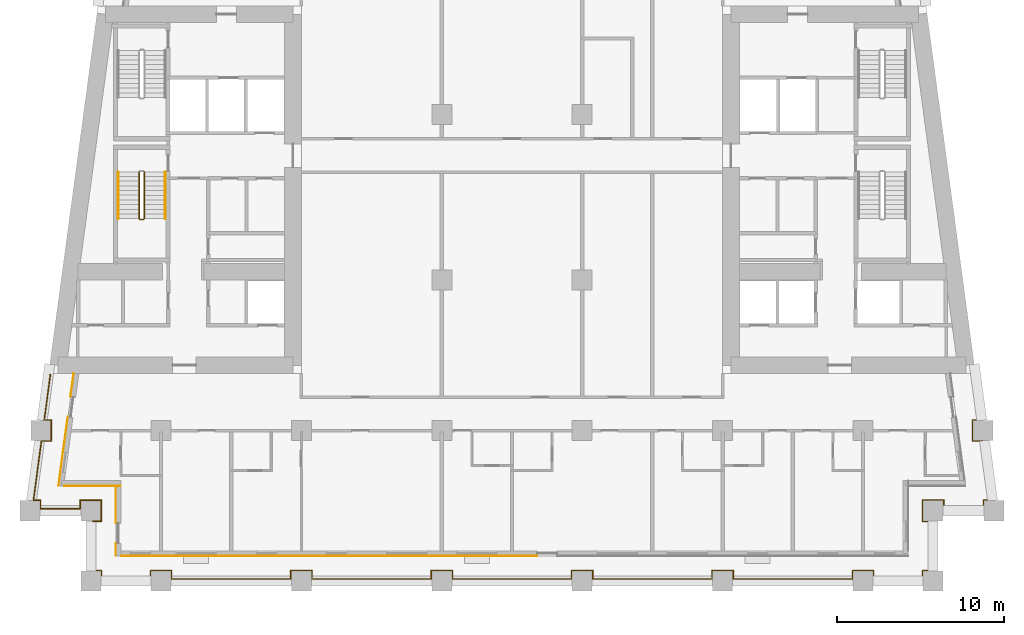
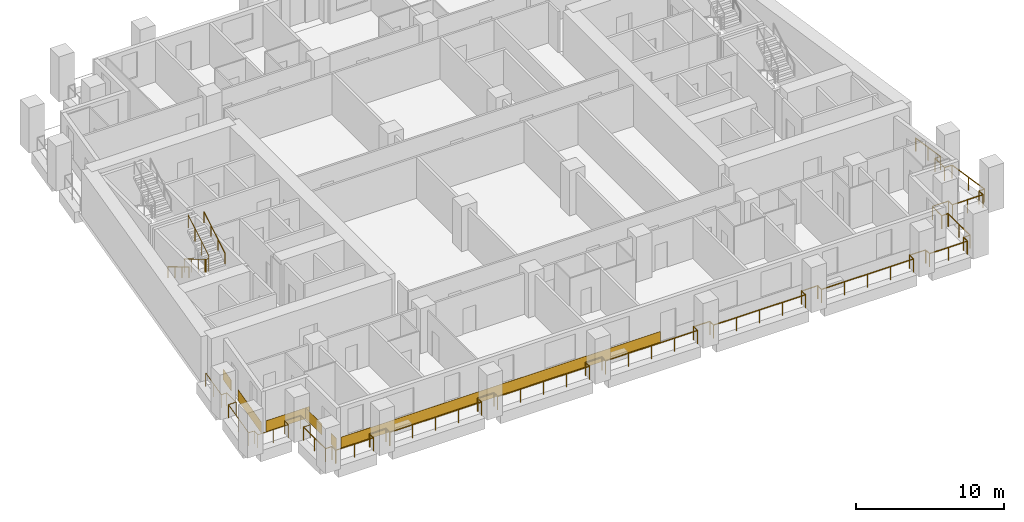
# One storey, part 9 of 13: 6 coverings, 5 railings.
"""IFC4 building model written with IfcOpenShell, lengths in metres."""

from ifc_helpers import new_model, si_unit, direction, frame, origin, origin_2d, place, context, subcontext, project, spatial, rectangle, circle, extrude, material, layer, layer_set, type_object, element, save


model = new_model("IFC4")

# Units and contexts
model_context = context("Model", 3, precision=1e-05, world=origin(), true_north=direction((0.0, 1.0)))
body_context = subcontext(model_context, "Body", "Model", "MODEL_VIEW")
ifc_project = project(units=[si_unit("LENGTHUNIT", "METRE"), si_unit("AREAUNIT", "SQUARE_METRE"), si_unit("VOLUMEUNIT", "CUBIC_METRE"), si_unit("PLANEANGLEUNIT", "RADIAN"), si_unit("MASSUNIT", "GRAM", prefix="KILO")], contexts=[model_context])

# Site, building, storey
site_placement = place(None, origin())
site = spatial("IfcSite", under=ifc_project, at=site_placement, CompositionType="ELEMENT")
building_placement = place(site_placement, origin())
building = spatial("IfcBuilding", under=site, at=building_placement, Name="Candeia Pilgrim Tower and Theatre", CompositionType="ELEMENT")
storey_placement = place(building_placement, frame((0.0, 0.0, 128.0)))
storey = spatial("IfcBuildingStorey", under=building, at=storey_placement, Name="L30", CompositionType="ELEMENT", Elevation=128.0)

# Railings
ifc_material_1 = material(Name="Stainless steel balustrade", Category="steel")
railing_type_1 = type_object("IfcRailingType", Name="G1 loggia guard 1100", PredefinedType="GUARDRAIL", material=ifc_material_1)
railing_1_placement = place(storey_placement, frame((88.320068359375, 101.570068359375, 0.0)))
element("IfcRailing", 1, at=railing_1_placement, inside=storey, type_object=railing_type_1, Name="Guard L30.1", PredefinedType="GUARDRAIL", context=body_context, shape_type="SweptSolid", body=[
    extrude(circle(Radius=0.02392578125, at=origin_2d()), frame((0.0, 0.0, 1.076171875), z_axis=(1.0, 0.0, 0.0), x_axis=(0.0, 1.0, 0.0)), (0.0, 0.0, 1.0), 0.510009765625),
    extrude(circle(Radius=0.02392578125, at=origin_2d()), frame((0.510009765625, 0.0, 1.076171875), z_axis=(0.0, 1.0, 0.0), x_axis=(-1.0, 0.0, 0.0)), (0.0, 0.0, 1.0), 1.260009765625),
    extrude(circle(Radius=0.02392578125, at=origin_2d()), frame((0.510009765625, 1.260009765625, 1.076171875), z_axis=(-1.0, 0.0, 0.0), x_axis=(0.0, -1.0, 0.0)), (0.0, 0.0, 1.0), 1.260009765625),
    extrude(circle(Radius=0.02392578125, at=origin_2d()), frame((-0.75, 1.260009765625, 1.076171875), z_axis=(0.0, -1.0, 0.0), x_axis=(1.0, 0.0, 0.0)), (0.0, 0.0, 1.0), 0.510009765625),
    extrude(circle(Radius=0.02392578125, at=origin_2d()), frame((-0.75, 0.75, 1.076171875), z_axis=(-1.0, 0.0, 0.0), x_axis=(0.0, -1.0, 0.0)), (0.0, 0.0, 1.0), 2.374755859375),
    extrude(circle(Radius=0.02392578125, at=origin_2d()), frame((-3.124755859375, 0.75, 1.076171875), z_axis=(0.0, 1.0, 0.0), x_axis=(-1.0, 0.0, 0.0)), (0.0, 0.0, 1.0), 0.510009765625),
    extrude(circle(Radius=0.02392578125, at=origin_2d()), frame((-3.124755859375, 1.260009765625, 1.076171875), z_axis=(-1.0, 0.0, 0.0), x_axis=(0.0, -1.0, 0.0)), (0.0, 0.0, 1.0), 0.424072265625),
    extrude(circle(Radius=0.02392578125, at=origin_2d()), frame((-3.548828125, 1.260009765625, 1.076171875), z_axis=(0.133417176173, 0.991059966451, 0.0), x_axis=(-0.991059966451, 0.133417176173, 0.0)), (0.0, 0.0, 1.0), 3.572021484375),
    extrude(circle(Radius=0.02392578125, at=origin_2d()), frame((-3.072265625, 4.800048828125, 1.076171875), z_axis=(1.0, 0.0, 0.0), x_axis=(0.0, 1.0, 0.0)), (0.0, 0.0, 1.0), 0.59375),
    extrude(circle(Radius=0.02392578125, at=origin_2d()), frame((-2.478515625, 4.800048828125, 1.076171875), z_axis=(0.0, 1.0, 0.0), x_axis=(-1.0, 0.0, 0.0)), (0.0, 0.0, 1.0), 1.259765625),
    extrude(circle(Radius=0.02392578125, at=origin_2d()), frame((-2.478515625, 6.059814453125, 1.076171875), z_axis=(-1.0, 0.0, 0.0), x_axis=(0.0, -1.0, 0.0)), (0.0, 0.0, 1.0), 0.424072265625),
    extrude(circle(Radius=0.02392578125, at=origin_2d()), frame((-2.902587890625, 6.059814453125, 1.076171875), z_axis=(0.1334220927, 0.991059304572, 0.0), x_axis=(-0.991059304572, 0.1334220927, 0.0)), (0.0, 0.0, 1.0), 2.744873046875),
    extrude(circle(Radius=0.02099609375, at=origin_2d()), origin(), (0.0, 0.0, 1.0), 1.052001953125),
    extrude(circle(Radius=0.02099609375, at=origin_2d()), frame((0.510009765625, 0.0, 0.0)), (0.0, 0.0, 1.0), 1.052001953125),
    extrude(circle(Radius=0.02099609375, at=origin_2d()), frame((0.510009765625, 1.260009765625, 0.0)), (0.0, 0.0, 1.0), 1.052001953125),
    extrude(circle(Radius=0.02099609375, at=origin_2d()), frame((-0.75, 1.260009765625, 0.0)), (0.0, 0.0, 1.0), 1.052001953125),
    extrude(circle(Radius=0.02099609375, at=origin_2d()), frame((-0.75, 0.75, 0.0)), (0.0, 0.0, 1.0), 1.052001953125),
    extrude(circle(Radius=0.02099609375, at=origin_2d()), frame((-1.9375, 0.75, 0.0)), (0.0, 0.0, 1.0), 1.052001953125),
    extrude(circle(Radius=0.02099609375, at=origin_2d()), frame((-3.124755859375, 0.75, 0.0)), (0.0, 0.0, 1.0), 1.052001953125),
    extrude(circle(Radius=0.02099609375, at=origin_2d()), frame((-3.124755859375, 1.260009765625, 0.0)), (0.0, 0.0, 1.0), 1.052001953125),
    extrude(circle(Radius=0.02099609375, at=origin_2d()), frame((-3.548828125, 1.260009765625, 0.0)), (0.0, 0.0, 1.0), 1.052001953125),
    extrude(circle(Radius=0.02099609375, at=origin_2d()), frame((-3.310546875, 3.030029296875, 0.0)), (0.0, 0.0, 1.0), 1.052001953125),
    extrude(circle(Radius=0.02099609375, at=origin_2d()), frame((-3.072265625, 4.800048828125, 0.0)), (0.0, 0.0, 1.0), 1.052001953125),
    extrude(circle(Radius=0.02099609375, at=origin_2d()), frame((-2.478515625, 4.800048828125, 0.0)), (0.0, 0.0, 1.0), 1.052001953125),
    extrude(circle(Radius=0.02099609375, at=origin_2d()), frame((-2.478515625, 6.059814453125, 0.0)), (0.0, 0.0, 1.0), 1.052001953125),
    extrude(circle(Radius=0.02099609375, at=origin_2d()), frame((-2.902587890625, 6.059814453125, 0.0)), (0.0, 0.0, 1.0), 1.052001953125),
    extrude(circle(Radius=0.02099609375, at=origin_2d()), frame((-2.719482421875, 7.419921875, 0.0)), (0.0, 0.0, 1.0), 1.052001953125),
    extrude(circle(Radius=0.02099609375, at=origin_2d()), frame((-2.536376953125, 8.780029296875, 0.0)), (0.0, 0.0, 1.0), 1.052001953125),
])
railing_2_placement = place(storey_placement, frame((141.016357421875, 110.35009765625, 0.0)))
element("IfcRailing", 2, at=railing_2_placement, inside=storey, type_object=railing_type_1, Name="Guard L30.4", PredefinedType="GUARDRAIL", context=body_context, shape_type="SweptSolid", body=[
    extrude(circle(Radius=0.02392578125, at=origin_2d()), frame((0.0, 0.0, 1.076171875), z_axis=(0.1334220927, -0.991059304572, 0.0), x_axis=(0.991059304572, 0.1334220927, 0.0)), (0.0, 0.0, 1.0), 2.744873046875),
    extrude(circle(Radius=0.02392578125, at=origin_2d()), frame((0.3662109375, -2.72021484375, 1.076171875), z_axis=(-1.0, 0.0, 0.0), x_axis=(0.0, -1.0, 0.0)), (0.0, 0.0, 1.0), 0.424072265625),
    extrude(circle(Radius=0.02392578125, at=origin_2d()), frame((-0.057861328125, -2.72021484375, 1.076171875), z_axis=(0.0, -1.0, 0.0), x_axis=(1.0, 0.0, 0.0)), (0.0, 0.0, 1.0), 1.259765625),
    extrude(circle(Radius=0.02392578125, at=origin_2d()), frame((-0.057861328125, -3.97998046875, 1.076171875), z_axis=(1.0, 0.0, 0.0), x_axis=(0.0, 1.0, 0.0)), (0.0, 0.0, 1.0), 0.59375),
    extrude(circle(Radius=0.02392578125, at=origin_2d()), frame((0.535888671875, -3.97998046875, 1.076171875), z_axis=(0.133417176173, -0.991059966451, 0.0), x_axis=(0.991059966451, 0.133417176173, 0.0)), (0.0, 0.0, 1.0), 3.572021484375),
    extrude(circle(Radius=0.02392578125, at=origin_2d()), frame((1.012451171875, -7.52001953125, 1.076171875), z_axis=(-1.0, 0.0, 0.0), x_axis=(0.0, -1.0, 0.0)), (0.0, 0.0, 1.0), 0.424072265625),
    extrude(circle(Radius=0.02392578125, at=origin_2d()), frame((0.58837890625, -7.52001953125, 1.076171875), z_axis=(0.0, -1.0, 0.0), x_axis=(1.0, 0.0, 0.0)), (0.0, 0.0, 1.0), 0.510009765625),
    extrude(circle(Radius=0.02392578125, at=origin_2d()), frame((0.58837890625, -8.030029296875, 1.076171875), z_axis=(-1.0, 0.0, 0.0), x_axis=(0.0, -1.0, 0.0)), (0.0, 0.0, 1.0), 2.374755859375),
    extrude(circle(Radius=0.02392578125, at=origin_2d()), frame((-1.786376953125, -8.030029296875, 1.076171875), z_axis=(0.0, 1.0, 0.0), x_axis=(-1.0, 0.0, 0.0)), (0.0, 0.0, 1.0), 0.510009765625),
    extrude(circle(Radius=0.02392578125, at=origin_2d()), frame((-1.786376953125, -7.52001953125, 1.076171875), z_axis=(-1.0, 0.0, 0.0), x_axis=(0.0, -1.0, 0.0)), (0.0, 0.0, 1.0), 1.260009765625),
    extrude(circle(Radius=0.02392578125, at=origin_2d()), frame((-3.04638671875, -7.52001953125, 1.076171875), z_axis=(0.0, -1.0, 0.0), x_axis=(1.0, 0.0, 0.0)), (0.0, 0.0, 1.0), 1.260009765625),
    extrude(circle(Radius=0.02392578125, at=origin_2d()), frame((-3.04638671875, -8.780029296875, 1.076171875), z_axis=(1.0, 0.0, 0.0), x_axis=(0.0, 1.0, 0.0)), (0.0, 0.0, 1.0), 0.510009765625),
    extrude(circle(Radius=0.02392578125, at=origin_2d()), frame((-2.536376953125, -8.780029296875, 1.076171875), z_axis=(0.0, -1.0, 0.0), x_axis=(1.0, 0.0, 0.0)), (0.0, 0.0, 1.0), 2.940185546875),
    extrude(circle(Radius=0.02392578125, at=origin_2d()), frame((-2.536376953125, -11.72021484375, 1.076171875), z_axis=(-1.0, 0.0, 0.0), x_axis=(0.0, -1.0, 0.0)), (0.0, 0.0, 1.0), 0.510009765625),
    extrude(circle(Radius=0.02392578125, at=origin_2d()), frame((-3.04638671875, -11.72021484375, 1.076171875), z_axis=(0.0, -1.0, 0.0), x_axis=(1.0, 0.0, 0.0)), (0.0, 0.0, 1.0), 0.509765625),
    extrude(circle(Radius=0.02392578125, at=origin_2d()), frame((-3.04638671875, -12.22998046875, 1.076171875), z_axis=(-1.0, 0.0, 0.0), x_axis=(0.0, -1.0, 0.0)), (0.0, 0.0, 1.0), 2.93994140625),
    extrude(circle(Radius=0.02392578125, at=origin_2d()), frame((-5.986328125, -12.22998046875, 1.076171875), z_axis=(0.0, 1.0, 0.0), x_axis=(-1.0, 0.0, 0.0)), (0.0, 0.0, 1.0), 0.509765625),
    extrude(circle(Radius=0.02392578125, at=origin_2d()), frame((-5.986328125, -11.72021484375, 1.076171875), z_axis=(-1.0, 0.0, 0.0), x_axis=(0.0, -1.0, 0.0)), (0.0, 0.0, 1.0), 1.260009765625),
    extrude(circle(Radius=0.02392578125, at=origin_2d()), frame((-7.246337890625, -11.72021484375, 1.076171875), z_axis=(0.0, -1.0, 0.0), x_axis=(1.0, 0.0, 0.0)), (0.0, 0.0, 1.0), 0.509765625),
    extrude(circle(Radius=0.02392578125, at=origin_2d()), frame((-7.246337890625, -12.22998046875, 1.076171875), z_axis=(-1.0, 0.0, 0.0), x_axis=(0.0, -1.0, 0.0)), (0.0, 0.0, 1.0), 7.14013671875),
    extrude(circle(Radius=0.02392578125, at=origin_2d()), frame((-14.386474609375, -12.22998046875, 1.076171875), z_axis=(0.0, 1.0, 0.0), x_axis=(-1.0, 0.0, 0.0)), (0.0, 0.0, 1.0), 0.509765625),
    extrude(circle(Radius=0.02392578125, at=origin_2d()), frame((-14.386474609375, -11.72021484375, 1.076171875), z_axis=(-1.0, 0.0, 0.0), x_axis=(0.0, -1.0, 0.0)), (0.0, 0.0, 1.0), 1.259765625),
    extrude(circle(Radius=0.02392578125, at=origin_2d()), frame((-15.646240234375, -11.72021484375, 1.076171875), z_axis=(0.0, -1.0, 0.0), x_axis=(1.0, 0.0, 0.0)), (0.0, 0.0, 1.0), 0.509765625),
    extrude(circle(Radius=0.02392578125, at=origin_2d()), frame((-15.646240234375, -12.22998046875, 1.076171875), z_axis=(-1.0, 0.0, 0.0), x_axis=(0.0, -1.0, 0.0)), (0.0, 0.0, 1.0), 7.14013671875),
    extrude(circle(Radius=0.02392578125, at=origin_2d()), frame((-22.786376953125, -12.22998046875, 1.076171875), z_axis=(0.0, 1.0, 0.0), x_axis=(-1.0, 0.0, 0.0)), (0.0, 0.0, 1.0), 0.509765625),
    extrude(circle(Radius=0.02392578125, at=origin_2d()), frame((-22.786376953125, -11.72021484375, 1.076171875), z_axis=(-1.0, 0.0, 0.0), x_axis=(0.0, -1.0, 0.0)), (0.0, 0.0, 1.0), 1.260009765625),
    extrude(circle(Radius=0.02392578125, at=origin_2d()), frame((-24.04638671875, -11.72021484375, 1.076171875), z_axis=(0.0, -1.0, 0.0), x_axis=(1.0, 0.0, 0.0)), (0.0, 0.0, 1.0), 0.509765625),
    extrude(circle(Radius=0.02392578125, at=origin_2d()), frame((-24.04638671875, -12.22998046875, 1.076171875), z_axis=(-1.0, 0.0, 0.0), x_axis=(0.0, -1.0, 0.0)), (0.0, 0.0, 1.0), 7.139892578125),
    extrude(circle(Radius=0.02392578125, at=origin_2d()), frame((-31.186279296875, -12.22998046875, 1.076171875), z_axis=(0.0, 1.0, 0.0), x_axis=(-1.0, 0.0, 0.0)), (0.0, 0.0, 1.0), 0.509765625),
    extrude(circle(Radius=0.02392578125, at=origin_2d()), frame((-31.186279296875, -11.72021484375, 1.076171875), z_axis=(-1.0, 0.0, 0.0), x_axis=(0.0, -1.0, 0.0)), (0.0, 0.0, 1.0), 1.260009765625),
    extrude(circle(Radius=0.02392578125, at=origin_2d()), frame((-32.4462890625, -11.72021484375, 1.076171875), z_axis=(0.0, -1.0, 0.0), x_axis=(1.0, 0.0, 0.0)), (0.0, 0.0, 1.0), 0.509765625),
    extrude(circle(Radius=0.02392578125, at=origin_2d()), frame((-32.4462890625, -12.22998046875, 1.076171875), z_axis=(-1.0, 0.0, 0.0), x_axis=(0.0, -1.0, 0.0)), (0.0, 0.0, 1.0), 7.14013671875),
    extrude(circle(Radius=0.02392578125, at=origin_2d()), frame((-39.58642578125, -12.22998046875, 1.076171875), z_axis=(0.0, 1.0, 0.0), x_axis=(-1.0, 0.0, 0.0)), (0.0, 0.0, 1.0), 0.509765625),
    extrude(circle(Radius=0.02392578125, at=origin_2d()), frame((-39.58642578125, -11.72021484375, 1.076171875), z_axis=(-1.0, 0.0, 0.0), x_axis=(0.0, -1.0, 0.0)), (0.0, 0.0, 1.0), 1.260009765625),
    extrude(circle(Radius=0.02392578125, at=origin_2d()), frame((-40.846435546875, -11.72021484375, 1.076171875), z_axis=(0.0, -1.0, 0.0), x_axis=(1.0, 0.0, 0.0)), (0.0, 0.0, 1.0), 0.509765625),
    extrude(circle(Radius=0.02392578125, at=origin_2d()), frame((-40.846435546875, -12.22998046875, 1.076171875), z_axis=(-1.0, 0.0, 0.0), x_axis=(0.0, -1.0, 0.0)), (0.0, 0.0, 1.0), 7.139892578125),
    extrude(circle(Radius=0.02392578125, at=origin_2d()), frame((-47.986328125, -12.22998046875, 1.076171875), z_axis=(0.0, 1.0, 0.0), x_axis=(-1.0, 0.0, 0.0)), (0.0, 0.0, 1.0), 0.509765625),
    extrude(circle(Radius=0.02392578125, at=origin_2d()), frame((-47.986328125, -11.72021484375, 1.076171875), z_axis=(-1.0, 0.0, 0.0), x_axis=(0.0, -1.0, 0.0)), (0.0, 0.0, 1.0), 1.260009765625),
    extrude(circle(Radius=0.02392578125, at=origin_2d()), frame((-49.246337890625, -11.72021484375, 1.076171875), z_axis=(0.0, -1.0, 0.0), x_axis=(1.0, 0.0, 0.0)), (0.0, 0.0, 1.0), 0.509765625),
    extrude(circle(Radius=0.02392578125, at=origin_2d()), frame((-49.246337890625, -12.22998046875, 1.076171875), z_axis=(-1.0, 0.0, 0.0), x_axis=(0.0, -1.0, 0.0)), (0.0, 0.0, 1.0), 2.93994140625),
    extrude(circle(Radius=0.02392578125, at=origin_2d()), frame((-52.186279296875, -12.22998046875, 1.076171875), z_axis=(0.0, 1.0, 0.0), x_axis=(-1.0, 0.0, 0.0)), (0.0, 0.0, 1.0), 0.509765625),
    extrude(circle(Radius=0.02392578125, at=origin_2d()), frame((-52.186279296875, -11.72021484375, 1.076171875), z_axis=(-1.0, 0.0, 0.0), x_axis=(0.0, -1.0, 0.0)), (0.0, 0.0, 1.0), 0.510009765625),
    extrude(circle(Radius=0.02392578125, at=origin_2d()), frame((-52.6962890625, -11.72021484375, 1.076171875), z_axis=(0.0, 1.0, 0.0), x_axis=(-1.0, 0.0, 0.0)), (0.0, 0.0, 1.0), 2.940185546875),
    extrude(circle(Radius=0.02099609375, at=origin_2d()), origin(), (0.0, 0.0, 1.0), 1.052001953125),
    extrude(circle(Radius=0.02099609375, at=origin_2d()), frame((0.18310546875, -1.360107421875, 0.0)), (0.0, 0.0, 1.0), 1.052001953125),
    extrude(circle(Radius=0.02099609375, at=origin_2d()), frame((0.3662109375, -2.72021484375, 0.0)), (0.0, 0.0, 1.0), 1.052001953125),
    extrude(circle(Radius=0.02099609375, at=origin_2d()), frame((-0.057861328125, -2.72021484375, 0.0)), (0.0, 0.0, 1.0), 1.052001953125),
    extrude(circle(Radius=0.02099609375, at=origin_2d()), frame((-0.057861328125, -3.97998046875, 0.0)), (0.0, 0.0, 1.0), 1.052001953125),
    extrude(circle(Radius=0.02099609375, at=origin_2d()), frame((0.535888671875, -3.97998046875, 0.0)), (0.0, 0.0, 1.0), 1.052001953125),
    extrude(circle(Radius=0.02099609375, at=origin_2d()), frame((0.774169921875, -5.75, 0.0)), (0.0, 0.0, 1.0), 1.052001953125),
    extrude(circle(Radius=0.02099609375, at=origin_2d()), frame((1.012451171875, -7.52001953125, 0.0)), (0.0, 0.0, 1.0), 1.052001953125),
    extrude(circle(Radius=0.02099609375, at=origin_2d()), frame((0.58837890625, -7.52001953125, 0.0)), (0.0, 0.0, 1.0), 1.052001953125),
    extrude(circle(Radius=0.02099609375, at=origin_2d()), frame((0.58837890625, -8.030029296875, 0.0)), (0.0, 0.0, 1.0), 1.052001953125),
    extrude(circle(Radius=0.02099609375, at=origin_2d()), frame((-0.59912109375, -8.030029296875, 0.0)), (0.0, 0.0, 1.0), 1.052001953125),
    extrude(circle(Radius=0.02099609375, at=origin_2d()), frame((-1.786376953125, -8.030029296875, 0.0)), (0.0, 0.0, 1.0), 1.052001953125),
    extrude(circle(Radius=0.02099609375, at=origin_2d()), frame((-1.786376953125, -7.52001953125, 0.0)), (0.0, 0.0, 1.0), 1.052001953125),
    extrude(circle(Radius=0.02099609375, at=origin_2d()), frame((-3.04638671875, -7.52001953125, 0.0)), (0.0, 0.0, 1.0), 1.052001953125),
    extrude(circle(Radius=0.02099609375, at=origin_2d()), frame((-3.04638671875, -8.780029296875, 0.0)), (0.0, 0.0, 1.0), 1.052001953125),
    extrude(circle(Radius=0.02099609375, at=origin_2d()), frame((-2.536376953125, -8.780029296875, 0.0)), (0.0, 0.0, 1.0), 1.052001953125),
    extrude(circle(Radius=0.02099609375, at=origin_2d()), frame((-2.536376953125, -10.25, 0.0)), (0.0, 0.0, 1.0), 1.052001953125),
    extrude(circle(Radius=0.02099609375, at=origin_2d()), frame((-2.536376953125, -11.72021484375, 0.0)), (0.0, 0.0, 1.0), 1.052001953125),
    extrude(circle(Radius=0.02099609375, at=origin_2d()), frame((-3.04638671875, -11.72021484375, 0.0)), (0.0, 0.0, 1.0), 1.052001953125),
    extrude(circle(Radius=0.02099609375, at=origin_2d()), frame((-3.04638671875, -12.22998046875, 0.0)), (0.0, 0.0, 1.0), 1.052001953125),
    extrude(circle(Radius=0.02099609375, at=origin_2d()), frame((-4.516357421875, -12.22998046875, 0.0)), (0.0, 0.0, 1.0), 1.052001953125),
    extrude(circle(Radius=0.02099609375, at=origin_2d()), frame((-5.986328125, -12.22998046875, 0.0)), (0.0, 0.0, 1.0), 1.052001953125),
    extrude(circle(Radius=0.02099609375, at=origin_2d()), frame((-5.986328125, -11.72021484375, 0.0)), (0.0, 0.0, 1.0), 1.052001953125),
    extrude(circle(Radius=0.02099609375, at=origin_2d()), frame((-7.246337890625, -11.72021484375, 0.0)), (0.0, 0.0, 1.0), 1.052001953125),
    extrude(circle(Radius=0.02099609375, at=origin_2d()), frame((-7.246337890625, -12.22998046875, 0.0)), (0.0, 0.0, 1.0), 1.052001953125),
    extrude(circle(Radius=0.02099609375, at=origin_2d()), frame((-9.03125, -12.22998046875, 0.0)), (0.0, 0.0, 1.0), 1.052001953125),
    extrude(circle(Radius=0.02099609375, at=origin_2d()), frame((-10.81640625, -12.22998046875, 0.0)), (0.0, 0.0, 1.0), 1.052001953125),
    extrude(circle(Radius=0.02099609375, at=origin_2d()), frame((-12.6015625, -12.22998046875, 0.0)), (0.0, 0.0, 1.0), 1.052001953125),
    extrude(circle(Radius=0.02099609375, at=origin_2d()), frame((-14.386474609375, -12.22998046875, 0.0)), (0.0, 0.0, 1.0), 1.052001953125),
    extrude(circle(Radius=0.02099609375, at=origin_2d()), frame((-14.386474609375, -11.72021484375, 0.0)), (0.0, 0.0, 1.0), 1.052001953125),
    extrude(circle(Radius=0.02099609375, at=origin_2d()), frame((-15.646240234375, -11.72021484375, 0.0)), (0.0, 0.0, 1.0), 1.052001953125),
    extrude(circle(Radius=0.02099609375, at=origin_2d()), frame((-15.646240234375, -12.22998046875, 0.0)), (0.0, 0.0, 1.0), 1.052001953125),
    extrude(circle(Radius=0.02099609375, at=origin_2d()), frame((-17.43115234375, -12.22998046875, 0.0)), (0.0, 0.0, 1.0), 1.052001953125),
    extrude(circle(Radius=0.02099609375, at=origin_2d()), frame((-19.21630859375, -12.22998046875, 0.0)), (0.0, 0.0, 1.0), 1.052001953125),
    extrude(circle(Radius=0.02099609375, at=origin_2d()), frame((-21.00146484375, -12.22998046875, 0.0)), (0.0, 0.0, 1.0), 1.052001953125),
    extrude(circle(Radius=0.02099609375, at=origin_2d()), frame((-22.786376953125, -12.22998046875, 0.0)), (0.0, 0.0, 1.0), 1.052001953125),
    extrude(circle(Radius=0.02099609375, at=origin_2d()), frame((-22.786376953125, -11.72021484375, 0.0)), (0.0, 0.0, 1.0), 1.052001953125),
    extrude(circle(Radius=0.02099609375, at=origin_2d()), frame((-24.04638671875, -11.72021484375, 0.0)), (0.0, 0.0, 1.0), 1.052001953125),
    extrude(circle(Radius=0.02099609375, at=origin_2d()), frame((-24.04638671875, -12.22998046875, 0.0)), (0.0, 0.0, 1.0), 1.052001953125),
    extrude(circle(Radius=0.02099609375, at=origin_2d()), frame((-25.831298828125, -12.22998046875, 0.0)), (0.0, 0.0, 1.0), 1.052001953125),
    extrude(circle(Radius=0.02099609375, at=origin_2d()), frame((-27.6162109375, -12.22998046875, 0.0)), (0.0, 0.0, 1.0), 1.052001953125),
    extrude(circle(Radius=0.02099609375, at=origin_2d()), frame((-29.4013671875, -12.22998046875, 0.0)), (0.0, 0.0, 1.0), 1.052001953125),
    extrude(circle(Radius=0.02099609375, at=origin_2d()), frame((-31.186279296875, -12.22998046875, 0.0)), (0.0, 0.0, 1.0), 1.052001953125),
    extrude(circle(Radius=0.02099609375, at=origin_2d()), frame((-31.186279296875, -11.72021484375, 0.0)), (0.0, 0.0, 1.0), 1.052001953125),
    extrude(circle(Radius=0.02099609375, at=origin_2d()), frame((-32.4462890625, -11.72021484375, 0.0)), (0.0, 0.0, 1.0), 1.052001953125),
    extrude(circle(Radius=0.02099609375, at=origin_2d()), frame((-32.4462890625, -12.22998046875, 0.0)), (0.0, 0.0, 1.0), 1.052001953125),
    extrude(circle(Radius=0.02099609375, at=origin_2d()), frame((-34.2314453125, -12.22998046875, 0.0)), (0.0, 0.0, 1.0), 1.052001953125),
    extrude(circle(Radius=0.02099609375, at=origin_2d()), frame((-36.016357421875, -12.22998046875, 0.0)), (0.0, 0.0, 1.0), 1.052001953125),
    extrude(circle(Radius=0.02099609375, at=origin_2d()), frame((-37.80126953125, -12.22998046875, 0.0)), (0.0, 0.0, 1.0), 1.052001953125),
    extrude(circle(Radius=0.02099609375, at=origin_2d()), frame((-39.58642578125, -12.22998046875, 0.0)), (0.0, 0.0, 1.0), 1.052001953125),
    extrude(circle(Radius=0.02099609375, at=origin_2d()), frame((-39.58642578125, -11.72021484375, 0.0)), (0.0, 0.0, 1.0), 1.052001953125),
    extrude(circle(Radius=0.02099609375, at=origin_2d()), frame((-40.846435546875, -11.72021484375, 0.0)), (0.0, 0.0, 1.0), 1.052001953125),
    extrude(circle(Radius=0.02099609375, at=origin_2d()), frame((-40.846435546875, -12.22998046875, 0.0)), (0.0, 0.0, 1.0), 1.052001953125),
    extrude(circle(Radius=0.02099609375, at=origin_2d()), frame((-42.63134765625, -12.22998046875, 0.0)), (0.0, 0.0, 1.0), 1.052001953125),
    extrude(circle(Radius=0.02099609375, at=origin_2d()), frame((-44.41650390625, -12.22998046875, 0.0)), (0.0, 0.0, 1.0), 1.052001953125),
    extrude(circle(Radius=0.02099609375, at=origin_2d()), frame((-46.201416015625, -12.22998046875, 0.0)), (0.0, 0.0, 1.0), 1.052001953125),
    extrude(circle(Radius=0.02099609375, at=origin_2d()), frame((-47.986328125, -12.22998046875, 0.0)), (0.0, 0.0, 1.0), 1.052001953125),
    extrude(circle(Radius=0.02099609375, at=origin_2d()), frame((-47.986328125, -11.72021484375, 0.0)), (0.0, 0.0, 1.0), 1.052001953125),
    extrude(circle(Radius=0.02099609375, at=origin_2d()), frame((-49.246337890625, -11.72021484375, 0.0)), (0.0, 0.0, 1.0), 1.052001953125),
    extrude(circle(Radius=0.02099609375, at=origin_2d()), frame((-49.246337890625, -12.22998046875, 0.0)), (0.0, 0.0, 1.0), 1.052001953125),
    extrude(circle(Radius=0.02099609375, at=origin_2d()), frame((-50.71630859375, -12.22998046875, 0.0)), (0.0, 0.0, 1.0), 1.052001953125),
    extrude(circle(Radius=0.02099609375, at=origin_2d()), frame((-52.186279296875, -12.22998046875, 0.0)), (0.0, 0.0, 1.0), 1.052001953125),
    extrude(circle(Radius=0.02099609375, at=origin_2d()), frame((-52.186279296875, -11.72021484375, 0.0)), (0.0, 0.0, 1.0), 1.052001953125),
    extrude(circle(Radius=0.02099609375, at=origin_2d()), frame((-52.6962890625, -11.72021484375, 0.0)), (0.0, 0.0, 1.0), 1.052001953125),
    extrude(circle(Radius=0.02099609375, at=origin_2d()), frame((-52.6962890625, -10.25, 0.0)), (0.0, 0.0, 1.0), 1.052001953125),
    extrude(circle(Radius=0.02099609375, at=origin_2d()), frame((-52.6962890625, -8.780029296875, 0.0)), (0.0, 0.0, 1.0), 1.052001953125),
])

# Coverings
ifc_material_2 = material(Name="Glazed ceramic tile red")
ifc_layer = layer(ifc_material_2, 0.02001953125)
ifc_layer_set = layer_set([ifc_layer], Name="Glazed ceramic tile red")
covering_type = type_object("IfcCoveringType", Name="Glazed ceramic tile red", PredefinedType="CLADDING", material=ifc_layer_set)
covering_1_placement = place(storey_placement, frame((102.4599609375, 99.489990234375, 0.0), z_axis=(0.0, 0.0, 1.0), x_axis=(1.0, 0.0, 0.0)))
element("IfcCovering", 3, at=covering_1_placement, inside=storey, type_object=covering_type, Name="Tile cladding red L30", PredefinedType="CLADDING", context=body_context, shape_type="SweptSolid", body=[
    extrude(rectangle(XDim=24.8798828125, YDim=0.02001953125, at=origin_2d()), origin(), (0.0, 0.0, 1.0), 0.89990234375),
])
covering_2_placement = place(storey_placement, frame((87.0810546875, 109.71875, 0.0), z_axis=(0.0, 0.0, 1.0), x_axis=(-0.133412012145, -0.991060661622, 0.0)))
element("IfcCovering", 4, at=covering_2_placement, inside=storey, type_object=covering_type, Name="Tile cladding red L30", PredefinedType="CLADDING", context=body_context, shape_type="SweptSolid", body=[
    extrude(rectangle(XDim=1.41796875, YDim=0.02001953125, at=origin_2d()), origin(), (0.0, 0.0, 1.0), 0.89990234375),
])
covering_3_placement = place(storey_placement, frame((86.548583984375, 105.763916015625, 0.0), z_axis=(0.0, 0.0, 1.0), x_axis=(-0.133412012145, -0.991060661622, 0.0)))
element("IfcCovering", 5, at=covering_3_placement, inside=storey, type_object=covering_type, Name="Tile cladding red L30", PredefinedType="CLADDING", context=body_context, shape_type="SweptSolid", body=[
    extrude(rectangle(XDim=4.16259765625, YDim=0.02001953125, at=origin_2d()), origin(), (0.0, 0.0, 1.0), 0.89990234375),
])
covering_4_placement = place(storey_placement, frame((88.311279296875, 103.68994140625, 0.0), z_axis=(0.0, 0.0, 1.0), x_axis=(1.0, 0.0, 0.0)))
element("IfcCovering", 6, at=covering_4_placement, inside=storey, type_object=covering_type, Name="Tile cladding red L30", PredefinedType="CLADDING", context=body_context, shape_type="SweptSolid", body=[
    extrude(rectangle(XDim=3.377685546875, YDim=0.02001953125, at=origin_2d()), origin(), (0.0, 0.0, 1.0), 0.89990234375),
])
covering_5_placement = place(storey_placement, frame((89.68994140625, 102.56494140625, 0.0), z_axis=(0.0, 0.0, 1.0), x_axis=(0.0, -1.0, 0.0)))
element("IfcCovering", 7, at=covering_5_placement, inside=storey, type_object=covering_type, Name="Tile cladding red L30", PredefinedType="CLADDING", context=body_context, shape_type="SweptSolid", body=[
    extrude(rectangle(XDim=2.22998046875, YDim=0.02001953125, at=origin_2d()), origin(), (0.0, 0.0, 1.0), 0.89990234375),
])
covering_6_placement = place(storey_placement, frame((89.68994140625, 99.875, 0.0), z_axis=(0.0, 0.0, 1.0), x_axis=(0.0, -1.0, 0.0)))
element("IfcCovering", 8, at=covering_6_placement, inside=storey, type_object=covering_type, Name="Tile cladding red L30", PredefinedType="CLADDING", context=body_context, shape_type="SweptSolid", body=[
    extrude(rectangle(XDim=0.75, YDim=0.02001953125, at=origin_2d()), origin(), (0.0, 0.0, 1.0), 0.89990234375),
])

# Railings
railing_type_2 = type_object("IfcRailingType", Name="RL-GUARD-1100", PredefinedType="GUARDRAIL", material=ifc_material_1)
railing_3_placement = place(storey_placement, frame((91.10205078125, 122.47509765625, 0.168212890625)))
element("IfcRailing", 9, at=railing_3_placement, inside=storey, type_object=railing_type_2, Name="L30 ST1 stair guard 1", PredefinedType="GUARDRAIL", context=body_context, shape_type="SweptSolid", body=[
    extrude(circle(Radius=0.02392578125, at=origin_2d()), frame((0.0, 0.0, 1.076171875), z_axis=(0.0, -0.857242210791, 0.514913383045), x_axis=(1.0, 0.0, 0.0)), (0.0, 0.0, 1.0), 3.266357421875),
    extrude(circle(Radius=0.02392578125, at=origin_2d()), frame((0.0, -2.800048828125, 2.7578125), z_axis=(0.707106781187, -0.707106781187, 0.0), x_axis=(0.707106781187, 0.707106781187, 0.0)), (0.0, 0.0, 1.0), 0.07080078125),
    extrude(circle(Radius=0.02392578125, at=origin_2d()), frame((0.050048828125, -2.85009765625, 2.7578125), z_axis=(1.0, 0.0, 0.0), x_axis=(0.0, 1.0, 0.0)), (0.0, 0.0, 1.0), 0.199951171875),
    extrude(circle(Radius=0.02392578125, at=origin_2d()), frame((0.25, -2.85009765625, 2.7578125), z_axis=(0.274582412415, 0.274582412415, 0.921525364591), x_axis=(-0.707106781187, 0.707106781187, 0.0)), (0.0, 0.0, 1.0), 0.182373046875),
    extrude(circle(Radius=0.02392578125, at=origin_2d()), frame((0.300048828125, -2.800048828125, 2.92578125), z_axis=(0.0, 0.857242210791, 0.514913383045), x_axis=(-1.0, 0.0, 0.0)), (0.0, 0.0, 1.0), 3.266357421875),
    extrude(circle(Radius=0.02099609375, at=origin_2d()), origin(), (0.0, 0.0, 1.0), 1.052001953125),
    extrude(circle(Radius=0.02099609375, at=origin_2d()), frame((0.0, -0.933349609375, 0.560546875)), (0.0, 0.0, 1.0), 1.052001953125),
    extrude(circle(Radius=0.02099609375, at=origin_2d()), frame((0.0, -1.86669921875, 1.121337890625)), (0.0, 0.0, 1.0), 1.052001953125),
    extrude(circle(Radius=0.02099609375, at=origin_2d()), frame((0.0, -2.800048828125, 1.681884765625)), (0.0, 0.0, 1.0), 1.052001953125),
    extrude(circle(Radius=0.02099609375, at=origin_2d()), frame((0.050048828125, -2.85009765625, 1.681884765625)), (0.0, 0.0, 1.0), 1.052001953125),
    extrude(circle(Radius=0.02099609375, at=origin_2d()), frame((0.25, -2.85009765625, 1.681884765625)), (0.0, 0.0, 1.0), 1.052001953125),
    extrude(circle(Radius=0.02099609375, at=origin_2d()), frame((0.300048828125, -2.800048828125, 1.849853515625)), (0.0, 0.0, 1.0), 1.052001953125),
    extrude(circle(Radius=0.02099609375, at=origin_2d()), frame((0.300048828125, -1.86669921875, 2.410400390625)), (0.0, 0.0, 1.0), 1.052001953125),
    extrude(circle(Radius=0.02099609375, at=origin_2d()), frame((0.300048828125, -0.933349609375, 2.97119140625)), (0.0, 0.0, 1.0), 1.052001953125),
    extrude(circle(Radius=0.02099609375, at=origin_2d()), frame((0.300048828125, 0.0, 3.53173828125)), (0.0, 0.0, 1.0), 1.052001953125),
])
ifc_material_3 = material(Name="Stainless steel handrail", Category="steel")
railing_type_3 = type_object("IfcRailingType", Name="RL-HANDRAIL-900", PredefinedType="HANDRAIL", material=ifc_material_3)
railing_4_placement = place(storey_placement, frame((89.85205078125, 122.47509765625, 0.168212890625)))
element("IfcRailing", 10, at=railing_4_placement, inside=storey, type_object=railing_type_3, Name="L30 ST1 stair handrail 1", PredefinedType="HANDRAIL", context=body_context, shape_type="SweptSolid", body=[
    extrude(circle(Radius=0.02392578125, at=origin_2d()), frame((0.0, 0.0, 0.8759765625), z_axis=(0.0, -0.857242210791, 0.514913383045), x_axis=(1.0, 0.0, 0.0)), (0.0, 0.0, 1.0), 3.266357421875),
    extrude(circle(Radius=0.02099609375, at=origin_2d()), origin(), (0.0, 0.0, 1.0), 0.851806640625),
    extrude(circle(Radius=0.02099609375, at=origin_2d()), frame((0.0, -0.933349609375, 0.560546875)), (0.0, 0.0, 1.0), 0.851806640625),
    extrude(circle(Radius=0.02099609375, at=origin_2d()), frame((0.0, -1.86669921875, 1.121337890625)), (0.0, 0.0, 1.0), 0.851806640625),
    extrude(circle(Radius=0.02099609375, at=origin_2d()), frame((0.0, -2.800048828125, 1.681884765625)), (0.0, 0.0, 1.0), 0.851806640625),
])
railing_5_placement = place(storey_placement, frame((92.652099609375, 119.675048828125, 2.01806640625)))
element("IfcRailing", 11, at=railing_5_placement, inside=storey, type_object=railing_type_3, Name="L30 ST1 stair handrail 2", PredefinedType="HANDRAIL", context=body_context, shape_type="SweptSolid", body=[
    extrude(circle(Radius=0.02392578125, at=origin_2d()), frame((0.0, 0.0, 0.8759765625), z_axis=(0.0, 0.857242210791, 0.514913383045), x_axis=(-1.0, 0.0, 0.0)), (0.0, 0.0, 1.0), 3.266357421875),
    extrude(circle(Radius=0.02099609375, at=origin_2d()), origin(), (0.0, 0.0, 1.0), 0.851806640625),
    extrude(circle(Radius=0.02099609375, at=origin_2d()), frame((0.0, 0.933349609375, 0.560546875)), (0.0, 0.0, 1.0), 0.851806640625),
    extrude(circle(Radius=0.02099609375, at=origin_2d()), frame((0.0, 1.86669921875, 1.121337890625)), (0.0, 0.0, 1.0), 0.851806640625),
    extrude(circle(Radius=0.02099609375, at=origin_2d()), frame((0.0, 2.800048828125, 1.681884765625)), (0.0, 0.0, 1.0), 0.851806640625),
])

save(model, "model.ifc")
